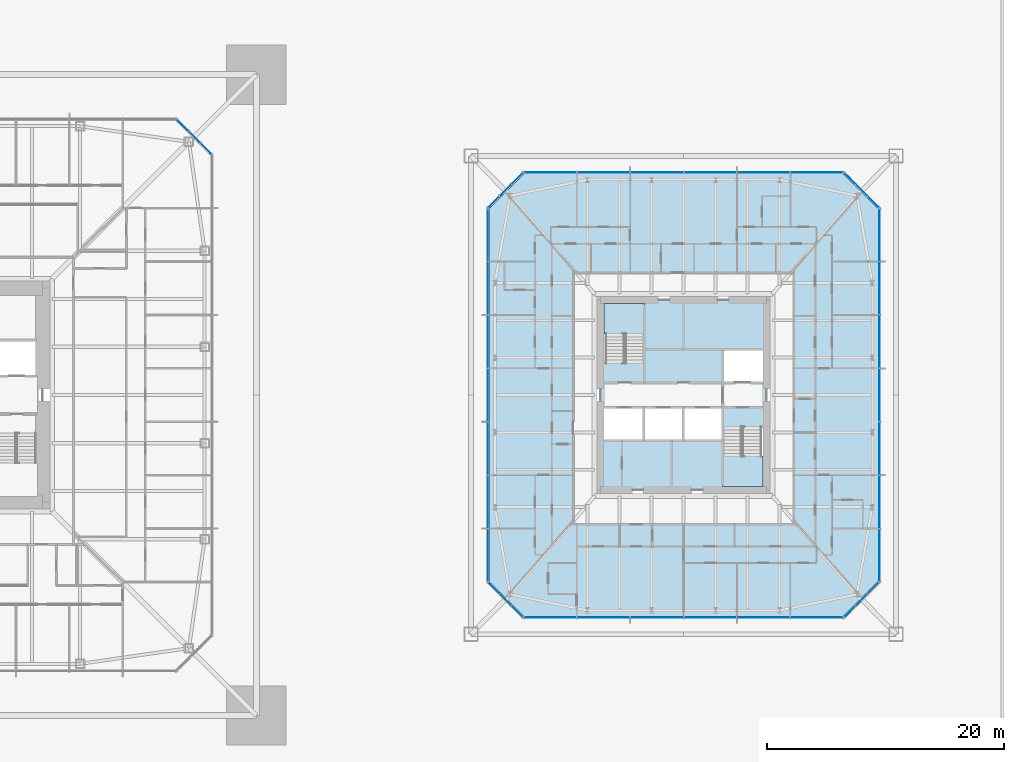
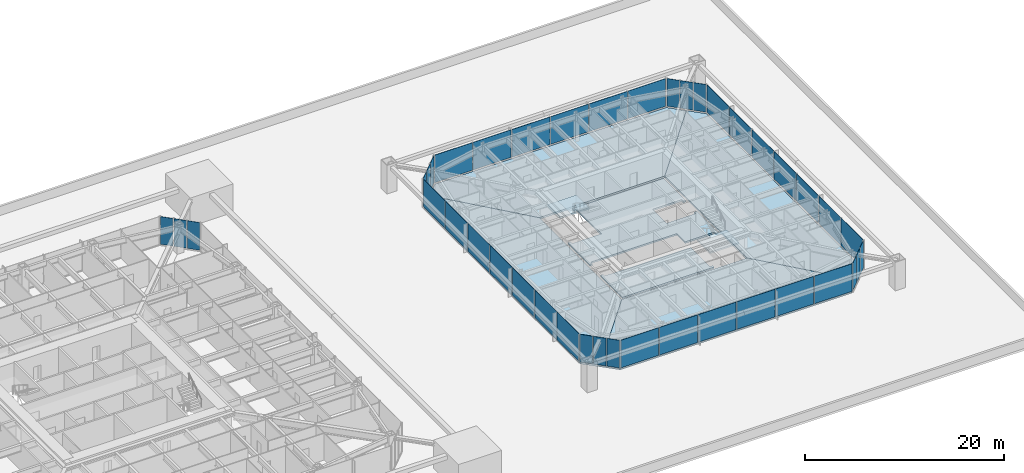
# One storey, part 15 of 31: 41 plates, 8 slabs, 11 elements without a shape of their own.
"""IFC4 building model written with IfcOpenShell, lengths in metres."""

from ifc_helpers import new_model, si_unit, direction, frame, origin, origin_2d, place, context, subcontext, project, spatial, polyline, rectangle, outline, extrude, material, layer, layer_set, constituent, constituent_set, type_object, element, aggregate, save


model = new_model("IFC4")

# Units and contexts
model_context = context("Model", 3, precision=1e-05, world=origin(), true_north=direction((0.0, 1.0)))
body_context = subcontext(model_context, "Body", "Model", "MODEL_VIEW")
ifc_project = project(units=[si_unit("LENGTHUNIT", "METRE"), si_unit("AREAUNIT", "SQUARE_METRE"), si_unit("VOLUMEUNIT", "CUBIC_METRE"), si_unit("PLANEANGLEUNIT", "RADIAN"), si_unit("MASSUNIT", "GRAM", prefix="KILO")], contexts=[model_context])

# Site, building, storey
site_placement = place(None, origin())
site = spatial("IfcSite", under=ifc_project, at=site_placement, CompositionType="ELEMENT")
building_placement = place(site_placement, origin())
building = spatial("IfcBuilding", under=site, at=building_placement, Name="Iwan Alto Co-Living Towers", CompositionType="ELEMENT")
storey_placement = place(building_placement, frame((0.0, 0.0, 15.0)))
storey = spatial("IfcBuildingStorey", under=building, at=storey_placement, Name="L03", CompositionType="ELEMENT", Elevation=15.0)

# Slabs
ifc_material_1 = material(Name="Concrete f'c 30 MPa", Category="concrete")
ifc_layer_1 = layer(ifc_material_1, 0.199951171875)
ifc_layer_set_1 = layer_set([ifc_layer_1], Name="CORE FLOOR SLAB 200")
slab_type_1 = type_object("IfcSlabType", Name="CORE FLOOR SLAB 200", PredefinedType="FLOOR", material=ifc_layer_set_1)
slab_1_placement = place(storey_placement, frame((0.0, 0.0, -0.199951171875)))
element("IfcSlab", 1, at=slab_1_placement, inside=storey, type_object=slab_type_1, Name="T2 core floor L03", PredefinedType="FLOOR", context=body_context, shape_type="SweptSolid", body=[
    extrude(outline(polyline([(70.0, -3.030029296875), (69.699951171875, -3.030029296875), (69.699951171875, -2.719970703125), (66.300048828125, -2.719970703125), (66.300048828125, -1.050048828125), (62.967041015625, -1.050048828125), (59.633056640625, -1.050048828125), (56.300048828125, -1.050048828125), (56.300048828125, -1.360107421875), (56.0, -1.360107421875), (56.0, 3.030029296875), (56.300048828125, 3.030029296875), (56.300048828125, 2.719970703125), (59.699951171875, 2.719970703125), (59.699951171875, 7.699951171875), (59.389892578125, 7.699951171875), (59.389892578125, 8.0), (70.0, 8.0), (70.0, 3.5400390625), (69.699951171875, 3.5400390625), (69.699951171875, 3.85009765625), (66.300048828125, 3.85009765625), (66.300048828125, 1.050048828125), (69.699951171875, 1.050048828125), (69.699951171875, 1.360107421875), (70.0, 1.360107421875), (70.0, -3.030029296875)])), origin(), (0.0, 0.0, 1.0), 0.199951171875),
])
slab_2_placement = place(storey_placement, frame((0.0, 0.0, -0.199951171875)))
element("IfcSlab", 2, at=slab_2_placement, inside=storey, type_object=slab_type_1, Name="T2 core floor L03", PredefinedType="FLOOR", context=body_context, shape_type="SweptSolid", body=[
    extrude(outline(polyline([(62.967041015625, -3.85009765625), (66.300048828125, -3.85009765625), (66.300048828125, -7.699951171875), (66.610107421875, -7.699951171875), (66.610107421875, -8.0), (56.0, -8.0), (56.0, -3.5400390625), (56.300048828125, -3.5400390625), (56.300048828125, -3.85009765625), (59.633056640625, -3.85009765625), (62.967041015625, -3.85009765625)])), origin(), (0.0, 0.0, 1.0), 0.199951171875),
])

# Curtain wall, plates
ifc_material_2 = material(Name="Bronze aluminium unitised frame", Category="aluminium")
curtain_wall_type_1 = type_object("IfcCurtainWallType", Name="CURTAIN WALL CW-B", PredefinedType="NOTDEFINED", material=ifc_material_2)
curtain_wall_1_placement = place(storey_placement, origin())
curtain_wall_1 = element("IfcCurtainWall", 3, at=curtain_wall_1_placement, inside=storey, type_object=curtain_wall_type_1, Name="T1 chamfer curtain wall NE L03", PredefinedType="NOTDEFINED")
ifc_material_3 = material(Name="Bronze-tinted insulating glass", Category="glass")
ifc_layer_2 = layer(ifc_material_3, 0.031982421875)
ifc_layer_set_2 = layer_set([ifc_layer_2], Name="CW-B PANEL TINTED IGU 32")
plate_type_1 = type_object("IfcPlateType", Name="CW-B PANEL TINTED IGU 32", PredefinedType="CURTAIN_PANEL", material=ifc_layer_set_2)
plate_1_placement = place(storey_placement, frame((22.73583984375, 20.76416015625, 0.10009765625), z_axis=(0.0, 0.0, 1.0), x_axis=(-0.707106781187, 0.707106781187, 0.0)))
plate_1 = element("IfcPlate", 4, at=plate_1_placement, type_object=plate_type_1, Name="CW-B panel 1.1", PredefinedType="CURTAIN_PANEL", context=body_context, shape_type="SweptSolid", body=[
    extrude(rectangle(XDim=1.294189453125, YDim=0.031982421875, at=origin_2d()), origin(), (0.0, 0.0, 1.0), 3.39990234375),
])
plate_2_placement = place(storey_placement, frame((21.75, 21.75, 0.10009765625), z_axis=(0.0, 0.0, 1.0), x_axis=(-0.707106781187, 0.707106781187, 0.0)))
plate_2 = element("IfcPlate", 5, at=plate_2_placement, type_object=plate_type_1, Name="CW-B panel 2.1", PredefinedType="CURTAIN_PANEL", context=body_context, shape_type="SweptSolid", body=[
    extrude(rectangle(XDim=1.334228515625, YDim=0.031982421875, at=origin_2d()), origin(), (0.0, 0.0, 1.0), 3.39990234375),
])
plate_3_placement = place(storey_placement, frame((20.76416015625, 22.73583984375, 0.10009765625), z_axis=(0.0, 0.0, 1.0), x_axis=(-0.707106781187, 0.707106781187, 0.0)))
plate_3 = element("IfcPlate", 6, at=plate_3_placement, type_object=plate_type_1, Name="CW-B panel 3.1", PredefinedType="CURTAIN_PANEL", context=body_context, shape_type="SweptSolid", body=[
    extrude(rectangle(XDim=1.294189453125, YDim=0.031982421875, at=origin_2d()), origin(), (0.0, 0.0, 1.0), 3.39990234375),
])
aggregate(curtain_wall_1, [plate_1, plate_2, plate_3])

ifc_material_4 = material(Name="Bronze aluminium unitised frame", Category="aluminium")
curtain_wall_type_2 = type_object("IfcCurtainWallType", Name="CURTAIN WALL CW-C", PredefinedType="NOTDEFINED", material=ifc_material_4)
curtain_wall_2_placement = place(storey_placement, origin())
curtain_wall_2 = element("IfcCurtainWall", 7, at=curtain_wall_2_placement, inside=storey, type_object=curtain_wall_type_2, Name="T2 curtain wall S L03", PredefinedType="NOTDEFINED")
ifc_material_5 = material(Name="Bronze-tinted insulating glass", Category="glass")
ifc_layer_3 = layer(ifc_material_5, 0.031982421875)
ifc_layer_set_3 = layer_set([ifc_layer_3], Name="CW-C PANEL TINTED IGU 32")
plate_type_2 = type_object("IfcPlateType", Name="CW-C PANEL TINTED IGU 32", PredefinedType="CURTAIN_PANEL", material=ifc_layer_set_3)
plate_4_placement = place(storey_placement, frame((51.77001953125, -18.75, 0.10009765625), z_axis=(0.0, 0.0, 1.0), x_axis=(1.0, 0.0, 0.0)))
plate_4 = element("IfcPlate", 8, at=plate_4_placement, type_object=plate_type_2, Name="CW-C panel 1.1", PredefinedType="CURTAIN_PANEL", context=body_context, shape_type="SweptSolid", body=[
    extrude(rectangle(XDim=4.3798828125, YDim=0.031982421875, at=origin_2d()), origin(), (0.0, 0.0, 1.0), 3.39990234375),
])
plate_5_placement = place(storey_placement, frame((56.25, -18.75, 0.10009765625), z_axis=(0.0, 0.0, 1.0), x_axis=(1.0, 0.0, 0.0)))
plate_5 = element("IfcPlate", 9, at=plate_5_placement, type_object=plate_type_2, Name="CW-C panel 2.1", PredefinedType="CURTAIN_PANEL", context=body_context, shape_type="SweptSolid", body=[
    extrude(rectangle(XDim=4.419921875, YDim=0.031982421875, at=origin_2d()), origin(), (0.0, 0.0, 1.0), 3.39990234375),
])
plate_6_placement = place(storey_placement, frame((69.75, -18.75, 0.10009765625), z_axis=(0.0, 0.0, 1.0), x_axis=(1.0, 0.0, 0.0)))
plate_6 = element("IfcPlate", 10, at=plate_6_placement, type_object=plate_type_2, Name="CW-C panel 5.1", PredefinedType="CURTAIN_PANEL", context=body_context, shape_type="SweptSolid", body=[
    extrude(rectangle(XDim=4.419921875, YDim=0.031982421875, at=origin_2d()), origin(), (0.0, 0.0, 1.0), 3.39990234375),
])
plate_7_placement = place(storey_placement, frame((74.22998046875, -18.75, 0.10009765625), z_axis=(0.0, 0.0, 1.0), x_axis=(1.0, 0.0, 0.0)))
plate_7 = element("IfcPlate", 11, at=plate_7_placement, type_object=plate_type_2, Name="CW-C panel 6.1", PredefinedType="CURTAIN_PANEL", context=body_context, shape_type="SweptSolid", body=[
    extrude(rectangle(XDim=4.3798828125, YDim=0.031982421875, at=origin_2d()), origin(), (0.0, 0.0, 1.0), 3.39990234375),
])

curtain_wall_3_placement = place(storey_placement, origin())
curtain_wall_3 = element("IfcCurtainWall", 12, at=curtain_wall_3_placement, inside=storey, type_object=curtain_wall_type_2, Name="T2 curtain wall E L03", PredefinedType="NOTDEFINED")
plate_8_placement = place(storey_placement, frame((79.5, -13.47998046875, 0.10009765625), z_axis=(0.0, 0.0, 1.0), x_axis=(0.0, 1.0, 0.0)))
plate_8 = element("IfcPlate", 13, at=plate_8_placement, type_object=plate_type_2, Name="CW-C panel 1.1", PredefinedType="CURTAIN_PANEL", context=body_context, shape_type="SweptSolid", body=[
    extrude(rectangle(XDim=4.3798828125, YDim=0.031982421875, at=origin_2d()), origin(), (0.0, 0.0, 1.0), 3.39990234375),
])
plate_9_placement = place(storey_placement, frame((79.5, -9.0, 0.10009765625), z_axis=(0.0, 0.0, 1.0), x_axis=(0.0, 1.0, 0.0)))
plate_9 = element("IfcPlate", 14, at=plate_9_placement, type_object=plate_type_2, Name="CW-C panel 2.1", PredefinedType="CURTAIN_PANEL", context=body_context, shape_type="SweptSolid", body=[
    extrude(rectangle(XDim=4.419921875, YDim=0.031982421875, at=origin_2d()), origin(), (0.0, 0.0, 1.0), 3.39990234375),
])
plate_10_placement = place(storey_placement, frame((79.5, 9.0, 0.10009765625), z_axis=(0.0, 0.0, 1.0), x_axis=(0.0, 1.0, 0.0)))
plate_10 = element("IfcPlate", 15, at=plate_10_placement, type_object=plate_type_2, Name="CW-C panel 6.1", PredefinedType="CURTAIN_PANEL", context=body_context, shape_type="SweptSolid", body=[
    extrude(rectangle(XDim=4.419921875, YDim=0.031982421875, at=origin_2d()), origin(), (0.0, 0.0, 1.0), 3.39990234375),
])
plate_11_placement = place(storey_placement, frame((79.5, 13.47998046875, 0.10009765625), z_axis=(0.0, 0.0, 1.0), x_axis=(0.0, 1.0, 0.0)))
plate_11 = element("IfcPlate", 16, at=plate_11_placement, type_object=plate_type_2, Name="CW-C panel 7.1", PredefinedType="CURTAIN_PANEL", context=body_context, shape_type="SweptSolid", body=[
    extrude(rectangle(XDim=4.3798828125, YDim=0.031982421875, at=origin_2d()), origin(), (0.0, 0.0, 1.0), 3.39990234375),
])

curtain_wall_4_placement = place(storey_placement, origin())
curtain_wall_4 = element("IfcCurtainWall", 17, at=curtain_wall_4_placement, inside=storey, type_object=curtain_wall_type_2, Name="T2 curtain wall N L03", PredefinedType="NOTDEFINED")
plate_12_placement = place(storey_placement, frame((74.22998046875, 18.75, 0.10009765625), z_axis=(0.0, 0.0, 1.0), x_axis=(-1.0, 0.0, 0.0)))
plate_12 = element("IfcPlate", 18, at=plate_12_placement, type_object=plate_type_2, Name="CW-C panel 1.1", PredefinedType="CURTAIN_PANEL", context=body_context, shape_type="SweptSolid", body=[
    extrude(rectangle(XDim=4.3798828125, YDim=0.031982421875, at=origin_2d()), origin(), (0.0, 0.0, 1.0), 3.39990234375),
])
plate_13_placement = place(storey_placement, frame((69.75, 18.75, 0.10009765625), z_axis=(0.0, 0.0, 1.0), x_axis=(-1.0, 0.0, 0.0)))
plate_13 = element("IfcPlate", 19, at=plate_13_placement, type_object=plate_type_2, Name="CW-C panel 2.1", PredefinedType="CURTAIN_PANEL", context=body_context, shape_type="SweptSolid", body=[
    extrude(rectangle(XDim=4.419921875, YDim=0.031982421875, at=origin_2d()), origin(), (0.0, 0.0, 1.0), 3.39990234375),
])
plate_14_placement = place(storey_placement, frame((56.25, 18.75, 0.10009765625), z_axis=(0.0, 0.0, 1.0), x_axis=(-1.0, 0.0, 0.0)))
plate_14 = element("IfcPlate", 20, at=plate_14_placement, type_object=plate_type_2, Name="CW-C panel 5.1", PredefinedType="CURTAIN_PANEL", context=body_context, shape_type="SweptSolid", body=[
    extrude(rectangle(XDim=4.419921875, YDim=0.031982421875, at=origin_2d()), origin(), (0.0, 0.0, 1.0), 3.39990234375),
])
plate_15_placement = place(storey_placement, frame((51.77001953125, 18.75, 0.10009765625), z_axis=(0.0, 0.0, 1.0), x_axis=(-1.0, 0.0, 0.0)))
plate_15 = element("IfcPlate", 21, at=plate_15_placement, type_object=plate_type_2, Name="CW-C panel 6.1", PredefinedType="CURTAIN_PANEL", context=body_context, shape_type="SweptSolid", body=[
    extrude(rectangle(XDim=4.3798828125, YDim=0.031982421875, at=origin_2d()), origin(), (0.0, 0.0, 1.0), 3.39990234375),
])

curtain_wall_5_placement = place(storey_placement, origin())
curtain_wall_5 = element("IfcCurtainWall", 22, at=curtain_wall_5_placement, inside=storey, type_object=curtain_wall_type_2, Name="T2 curtain wall W L03", PredefinedType="NOTDEFINED")
plate_16_placement = place(storey_placement, frame((46.5, 13.47998046875, 0.10009765625), z_axis=(0.0, 0.0, 1.0), x_axis=(0.0, -1.0, 0.0)))
plate_16 = element("IfcPlate", 23, at=plate_16_placement, type_object=plate_type_2, Name="CW-C panel 1.1", PredefinedType="CURTAIN_PANEL", context=body_context, shape_type="SweptSolid", body=[
    extrude(rectangle(XDim=4.3798828125, YDim=0.031982421875, at=origin_2d()), origin(), (0.0, 0.0, 1.0), 3.39990234375),
])
plate_17_placement = place(storey_placement, frame((46.5, 9.0, 0.10009765625), z_axis=(0.0, 0.0, 1.0), x_axis=(0.0, -1.0, 0.0)))
plate_17 = element("IfcPlate", 24, at=plate_17_placement, type_object=plate_type_2, Name="CW-C panel 2.1", PredefinedType="CURTAIN_PANEL", context=body_context, shape_type="SweptSolid", body=[
    extrude(rectangle(XDim=4.419921875, YDim=0.031982421875, at=origin_2d()), origin(), (0.0, 0.0, 1.0), 3.39990234375),
])
plate_18_placement = place(storey_placement, frame((46.5, -9.0, 0.10009765625), z_axis=(0.0, 0.0, 1.0), x_axis=(0.0, -1.0, 0.0)))
plate_18 = element("IfcPlate", 25, at=plate_18_placement, type_object=plate_type_2, Name="CW-C panel 6.1", PredefinedType="CURTAIN_PANEL", context=body_context, shape_type="SweptSolid", body=[
    extrude(rectangle(XDim=4.419921875, YDim=0.031982421875, at=origin_2d()), origin(), (0.0, 0.0, 1.0), 3.39990234375),
])
plate_19_placement = place(storey_placement, frame((46.5, -13.47998046875, 0.10009765625), z_axis=(0.0, 0.0, 1.0), x_axis=(0.0, -1.0, 0.0)))
plate_19 = element("IfcPlate", 26, at=plate_19_placement, type_object=plate_type_2, Name="CW-C panel 7.1", PredefinedType="CURTAIN_PANEL", context=body_context, shape_type="SweptSolid", body=[
    extrude(rectangle(XDim=4.3798828125, YDim=0.031982421875, at=origin_2d()), origin(), (0.0, 0.0, 1.0), 3.39990234375),
])

# Plate
ifc_material_6 = material(Name="Insulated bronze aluminium spandrel panel", Category="aluminium")
ifc_layer_4 = layer(ifc_material_6, 0.031982421875)
ifc_layer_set_4 = layer_set([ifc_layer_4], Name="CW-C SPANDREL PANEL 32")
plate_type_3 = type_object("IfcPlateType", Name="CW-C SPANDREL PANEL 32", PredefinedType="CURTAIN_PANEL", material=ifc_layer_set_4)
plate_20_placement = place(storey_placement, frame((60.75, -18.75, 0.10009765625), z_axis=(0.0, 0.0, 1.0), x_axis=(1.0, 0.0, 0.0)))
plate_20 = element("IfcPlate", 27, at=plate_20_placement, type_object=plate_type_3, Name="CW-C spandrel panel 3.1 (braced bay)", PredefinedType="CURTAIN_PANEL", context=body_context, shape_type="SweptSolid", body=[
    extrude(rectangle(XDim=4.419921875, YDim=0.031982421875, at=origin_2d()), origin(), (0.0, 0.0, 1.0), 3.39990234375),
])

plate_21_placement = place(storey_placement, frame((65.25, -18.75, 0.10009765625), z_axis=(0.0, 0.0, 1.0), x_axis=(1.0, 0.0, 0.0)))
plate_21 = element("IfcPlate", 28, at=plate_21_placement, type_object=plate_type_3, Name="CW-C spandrel panel 4.1 (braced bay)", PredefinedType="CURTAIN_PANEL", context=body_context, shape_type="SweptSolid", body=[
    extrude(rectangle(XDim=4.419921875, YDim=0.031982421875, at=origin_2d()), origin(), (0.0, 0.0, 1.0), 3.39990234375),
])

aggregate(curtain_wall_2, [plate_4, plate_5, plate_6, plate_7, plate_20, plate_21])

plate_22_placement = place(storey_placement, frame((79.5, -4.5, 0.10009765625), z_axis=(0.0, 0.0, 1.0), x_axis=(0.0, 1.0, 0.0)))
plate_22 = element("IfcPlate", 29, at=plate_22_placement, type_object=plate_type_3, Name="CW-C spandrel panel 3.1 (braced bay)", PredefinedType="CURTAIN_PANEL", context=body_context, shape_type="SweptSolid", body=[
    extrude(rectangle(XDim=4.419921875, YDim=0.031982421875, at=origin_2d()), origin(), (0.0, 0.0, 1.0), 3.39990234375),
])

plate_23_placement = place(storey_placement, frame((79.5, 0.0, 0.10009765625), z_axis=(0.0, 0.0, 1.0), x_axis=(0.0, 1.0, 0.0)))
plate_23 = element("IfcPlate", 30, at=plate_23_placement, type_object=plate_type_3, Name="CW-C spandrel panel 4.1 (braced bay)", PredefinedType="CURTAIN_PANEL", context=body_context, shape_type="SweptSolid", body=[
    extrude(rectangle(XDim=4.419921875, YDim=0.031982421875, at=origin_2d()), origin(), (0.0, 0.0, 1.0), 3.39990234375),
])

plate_24_placement = place(storey_placement, frame((79.5, 4.5, 0.10009765625), z_axis=(0.0, 0.0, 1.0), x_axis=(0.0, 1.0, 0.0)))
plate_24 = element("IfcPlate", 31, at=plate_24_placement, type_object=plate_type_3, Name="CW-C spandrel panel 5.1 (braced bay)", PredefinedType="CURTAIN_PANEL", context=body_context, shape_type="SweptSolid", body=[
    extrude(rectangle(XDim=4.419921875, YDim=0.031982421875, at=origin_2d()), origin(), (0.0, 0.0, 1.0), 3.39990234375),
])

aggregate(curtain_wall_3, [plate_8, plate_9, plate_10, plate_11, plate_22, plate_23, plate_24])

plate_25_placement = place(storey_placement, frame((65.25, 18.75, 0.10009765625), z_axis=(0.0, 0.0, 1.0), x_axis=(-1.0, 0.0, 0.0)))
plate_25 = element("IfcPlate", 32, at=plate_25_placement, type_object=plate_type_3, Name="CW-C spandrel panel 3.1 (braced bay)", PredefinedType="CURTAIN_PANEL", context=body_context, shape_type="SweptSolid", body=[
    extrude(rectangle(XDim=4.419921875, YDim=0.031982421875, at=origin_2d()), origin(), (0.0, 0.0, 1.0), 3.39990234375),
])

plate_26_placement = place(storey_placement, frame((60.75, 18.75, 0.10009765625), z_axis=(0.0, 0.0, 1.0), x_axis=(-1.0, 0.0, 0.0)))
plate_26 = element("IfcPlate", 33, at=plate_26_placement, type_object=plate_type_3, Name="CW-C spandrel panel 4.1 (braced bay)", PredefinedType="CURTAIN_PANEL", context=body_context, shape_type="SweptSolid", body=[
    extrude(rectangle(XDim=4.419921875, YDim=0.031982421875, at=origin_2d()), origin(), (0.0, 0.0, 1.0), 3.39990234375),
])

aggregate(curtain_wall_4, [plate_12, plate_13, plate_14, plate_15, plate_25, plate_26])

plate_27_placement = place(storey_placement, frame((46.5, 4.5, 0.10009765625), z_axis=(0.0, 0.0, 1.0), x_axis=(0.0, -1.0, 0.0)))
plate_27 = element("IfcPlate", 34, at=plate_27_placement, type_object=plate_type_3, Name="CW-C spandrel panel 3.1 (braced bay)", PredefinedType="CURTAIN_PANEL", context=body_context, shape_type="SweptSolid", body=[
    extrude(rectangle(XDim=4.419921875, YDim=0.031982421875, at=origin_2d()), origin(), (0.0, 0.0, 1.0), 3.39990234375),
])

plate_28_placement = place(storey_placement, frame((46.5, 0.0, 0.10009765625), z_axis=(0.0, 0.0, 1.0), x_axis=(0.0, -1.0, 0.0)))
plate_28 = element("IfcPlate", 35, at=plate_28_placement, type_object=plate_type_3, Name="CW-C spandrel panel 4.1 (braced bay)", PredefinedType="CURTAIN_PANEL", context=body_context, shape_type="SweptSolid", body=[
    extrude(rectangle(XDim=4.419921875, YDim=0.031982421875, at=origin_2d()), origin(), (0.0, 0.0, 1.0), 3.39990234375),
])

plate_29_placement = place(storey_placement, frame((46.5, -4.5, 0.10009765625), z_axis=(0.0, 0.0, 1.0), x_axis=(0.0, -1.0, 0.0)))
plate_29 = element("IfcPlate", 36, at=plate_29_placement, type_object=plate_type_3, Name="CW-C spandrel panel 5.1 (braced bay)", PredefinedType="CURTAIN_PANEL", context=body_context, shape_type="SweptSolid", body=[
    extrude(rectangle(XDim=4.419921875, YDim=0.031982421875, at=origin_2d()), origin(), (0.0, 0.0, 1.0), 3.39990234375),
])

aggregate(curtain_wall_5, [plate_16, plate_17, plate_18, plate_19, plate_27, plate_28, plate_29])

# Curtain wall, plates
ifc_material_7 = material(Name="Bronze aluminium unitised frame", Category="aluminium")
curtain_wall_type_3 = type_object("IfcCurtainWallType", Name="CURTAIN WALL CW-D", PredefinedType="NOTDEFINED", material=ifc_material_7)
curtain_wall_6_placement = place(storey_placement, origin())
curtain_wall_6 = element("IfcCurtainWall", 37, at=curtain_wall_6_placement, inside=storey, type_object=curtain_wall_type_3, Name="T2 chamfer curtain wall SE L03", PredefinedType="NOTDEFINED")
ifc_material_8 = material(Name="Bronze-tinted insulating glass", Category="glass")
ifc_layer_5 = layer(ifc_material_8, 0.031982421875)
ifc_layer_set_5 = layer_set([ifc_layer_5], Name="CW-D PANEL TINTED IGU 32")
plate_type_4 = type_object("IfcPlateType", Name="CW-D PANEL TINTED IGU 32", PredefinedType="CURTAIN_PANEL", material=ifc_layer_set_5)
plate_30_placement = place(storey_placement, frame((77.01416015625, -18.23583984375, 0.10009765625), z_axis=(0.0, 0.0, 1.0), x_axis=(0.707106781187, 0.707106781187, 0.0)))
plate_30 = element("IfcPlate", 38, at=plate_30_placement, type_object=plate_type_4, Name="CW-D panel 1.1", PredefinedType="CURTAIN_PANEL", context=body_context, shape_type="SweptSolid", body=[
    extrude(rectangle(XDim=1.294189453125, YDim=0.031982421875, at=origin_2d()), origin(), (0.0, 0.0, 1.0), 3.39990234375),
])
plate_31_placement = place(storey_placement, frame((78.0, -17.25, 0.10009765625), z_axis=(0.0, 0.0, 1.0), x_axis=(0.707106781187, 0.707106781187, 0.0)))
plate_31 = element("IfcPlate", 39, at=plate_31_placement, type_object=plate_type_4, Name="CW-D panel 2.1", PredefinedType="CURTAIN_PANEL", context=body_context, shape_type="SweptSolid", body=[
    extrude(rectangle(XDim=1.334228515625, YDim=0.031982421875, at=origin_2d()), origin(), (0.0, 0.0, 1.0), 3.39990234375),
])
plate_32_placement = place(storey_placement, frame((78.98583984375, -16.26416015625, 0.10009765625), z_axis=(0.0, 0.0, 1.0), x_axis=(0.707106781187, 0.707106781187, 0.0)))
plate_32 = element("IfcPlate", 40, at=plate_32_placement, type_object=plate_type_4, Name="CW-D panel 3.1", PredefinedType="CURTAIN_PANEL", context=body_context, shape_type="SweptSolid", body=[
    extrude(rectangle(XDim=1.294189453125, YDim=0.031982421875, at=origin_2d()), origin(), (0.0, 0.0, 1.0), 3.39990234375),
])
aggregate(curtain_wall_6, [plate_30, plate_31, plate_32])

curtain_wall_7_placement = place(storey_placement, origin())
curtain_wall_7 = element("IfcCurtainWall", 41, at=curtain_wall_7_placement, inside=storey, type_object=curtain_wall_type_3, Name="T2 chamfer curtain wall NE L03", PredefinedType="NOTDEFINED")
plate_33_placement = place(storey_placement, frame((78.98583984375, 16.26416015625, 0.10009765625), z_axis=(0.0, 0.0, 1.0), x_axis=(-0.707106781187, 0.707106781187, 0.0)))
plate_33 = element("IfcPlate", 42, at=plate_33_placement, type_object=plate_type_4, Name="CW-D panel 1.1", PredefinedType="CURTAIN_PANEL", context=body_context, shape_type="SweptSolid", body=[
    extrude(rectangle(XDim=1.294189453125, YDim=0.031982421875, at=origin_2d()), origin(), (0.0, 0.0, 1.0), 3.39990234375),
])
plate_34_placement = place(storey_placement, frame((78.0, 17.25, 0.10009765625), z_axis=(0.0, 0.0, 1.0), x_axis=(-0.707106781187, 0.707106781187, 0.0)))
plate_34 = element("IfcPlate", 43, at=plate_34_placement, type_object=plate_type_4, Name="CW-D panel 2.1", PredefinedType="CURTAIN_PANEL", context=body_context, shape_type="SweptSolid", body=[
    extrude(rectangle(XDim=1.334228515625, YDim=0.031982421875, at=origin_2d()), origin(), (0.0, 0.0, 1.0), 3.39990234375),
])
plate_35_placement = place(storey_placement, frame((77.01416015625, 18.23583984375, 0.10009765625), z_axis=(0.0, 0.0, 1.0), x_axis=(-0.707106781187, 0.707106781187, 0.0)))
plate_35 = element("IfcPlate", 44, at=plate_35_placement, type_object=plate_type_4, Name="CW-D panel 3.1", PredefinedType="CURTAIN_PANEL", context=body_context, shape_type="SweptSolid", body=[
    extrude(rectangle(XDim=1.294189453125, YDim=0.031982421875, at=origin_2d()), origin(), (0.0, 0.0, 1.0), 3.39990234375),
])
aggregate(curtain_wall_7, [plate_33, plate_34, plate_35])

curtain_wall_8_placement = place(storey_placement, origin())
curtain_wall_8 = element("IfcCurtainWall", 45, at=curtain_wall_8_placement, inside=storey, type_object=curtain_wall_type_3, Name="T2 chamfer curtain wall NW L03", PredefinedType="NOTDEFINED")
plate_36_placement = place(storey_placement, frame((48.98583984375, 18.23583984375, 0.10009765625), z_axis=(0.0, 0.0, 1.0), x_axis=(-0.707106781187, -0.707106781187, 0.0)))
plate_36 = element("IfcPlate", 46, at=plate_36_placement, type_object=plate_type_4, Name="CW-D panel 1.1", PredefinedType="CURTAIN_PANEL", context=body_context, shape_type="SweptSolid", body=[
    extrude(rectangle(XDim=1.294189453125, YDim=0.031982421875, at=origin_2d()), origin(), (0.0, 0.0, 1.0), 3.39990234375),
])
plate_37_placement = place(storey_placement, frame((48.0, 17.25, 0.10009765625), z_axis=(0.0, 0.0, 1.0), x_axis=(-0.707106781187, -0.707106781187, 0.0)))
plate_37 = element("IfcPlate", 47, at=plate_37_placement, type_object=plate_type_4, Name="CW-D panel 2.1", PredefinedType="CURTAIN_PANEL", context=body_context, shape_type="SweptSolid", body=[
    extrude(rectangle(XDim=1.334228515625, YDim=0.031982421875, at=origin_2d()), origin(), (0.0, 0.0, 1.0), 3.39990234375),
])
plate_38_placement = place(storey_placement, frame((47.01416015625, 16.26416015625, 0.10009765625), z_axis=(0.0, 0.0, 1.0), x_axis=(-0.707106781187, -0.707106781187, 0.0)))
plate_38 = element("IfcPlate", 48, at=plate_38_placement, type_object=plate_type_4, Name="CW-D panel 3.1", PredefinedType="CURTAIN_PANEL", context=body_context, shape_type="SweptSolid", body=[
    extrude(rectangle(XDim=1.294189453125, YDim=0.031982421875, at=origin_2d()), origin(), (0.0, 0.0, 1.0), 3.39990234375),
])
aggregate(curtain_wall_8, [plate_36, plate_37, plate_38])

curtain_wall_9_placement = place(storey_placement, origin())
curtain_wall_9 = element("IfcCurtainWall", 49, at=curtain_wall_9_placement, inside=storey, type_object=curtain_wall_type_3, Name="T2 chamfer curtain wall SW L03", PredefinedType="NOTDEFINED")
plate_39_placement = place(storey_placement, frame((47.01416015625, -16.26416015625, 0.10009765625), z_axis=(0.0, 0.0, 1.0), x_axis=(0.707106781187, -0.707106781187, 0.0)))
plate_39 = element("IfcPlate", 50, at=plate_39_placement, type_object=plate_type_4, Name="CW-D panel 1.1", PredefinedType="CURTAIN_PANEL", context=body_context, shape_type="SweptSolid", body=[
    extrude(rectangle(XDim=1.294189453125, YDim=0.031982421875, at=origin_2d()), origin(), (0.0, 0.0, 1.0), 3.39990234375),
])
plate_40_placement = place(storey_placement, frame((48.0, -17.25, 0.10009765625), z_axis=(0.0, 0.0, 1.0), x_axis=(0.707106781187, -0.707106781187, 0.0)))
plate_40 = element("IfcPlate", 51, at=plate_40_placement, type_object=plate_type_4, Name="CW-D panel 2.1", PredefinedType="CURTAIN_PANEL", context=body_context, shape_type="SweptSolid", body=[
    extrude(rectangle(XDim=1.334228515625, YDim=0.031982421875, at=origin_2d()), origin(), (0.0, 0.0, 1.0), 3.39990234375),
])
plate_41_placement = place(storey_placement, frame((48.98583984375, -18.23583984375, 0.10009765625), z_axis=(0.0, 0.0, 1.0), x_axis=(0.707106781187, -0.707106781187, 0.0)))
plate_41 = element("IfcPlate", 52, at=plate_41_placement, type_object=plate_type_4, Name="CW-D panel 3.1", PredefinedType="CURTAIN_PANEL", context=body_context, shape_type="SweptSolid", body=[
    extrude(rectangle(XDim=1.294189453125, YDim=0.031982421875, at=origin_2d()), origin(), (0.0, 0.0, 1.0), 3.39990234375),
])
aggregate(curtain_wall_9, [plate_39, plate_40, plate_41])

# Stair, slab
ifc_material_9 = material(Name="Steel ASTM A36", Category="steel")
ifc_constituent_1 = constituent(ifc_material_9, Name="Stringers", Category="LoadBearing")
ifc_material_10 = material(Name="Concrete f'c 30 MPa", Category="concrete")
ifc_constituent_2 = constituent(ifc_material_10, Name="Tread fill", Category="Finish")
ifc_constituent_set = constituent_set(constituents=[ifc_constituent_1, ifc_constituent_2], Name="STAIR 3500 TWO-FLIGHT T2 CORE")
stair_type = type_object("IfcStairType", Name="STAIR 3500 TWO-FLIGHT T2 CORE", PredefinedType="HALF_TURN_STAIR", material=ifc_constituent_set)
stair_1_placement = place(storey_placement, origin())
stair_1 = element("IfcStair", 53, at=stair_1_placement, inside=storey, type_object=stair_type, Name="Stair T2-S1 L03 to L04", PredefinedType="HALF_TURN_STAIR")
ifc_material_11 = material(Name="Concrete f'c 30 MPa", Category="concrete")
ifc_layer_6 = layer(ifc_material_11, 0.199951171875)
ifc_layer_set_6 = layer_set([ifc_layer_6], Name="STAIR LANDING 200")
slab_type_2 = type_object("IfcSlabType", Name="STAIR LANDING 200", PredefinedType="LANDING", material=ifc_layer_set_6)
slab_3_placement = place(storey_placement, frame((0.0, 0.0, 1.550048828125)))
slab_3 = element("IfcSlab", 54, at=slab_3_placement, type_object=slab_type_2, Name="T2-S1 landing 1", PredefinedType="LANDING", context=body_context, shape_type="SweptSolid", body=[
    extrude(outline(polyline([(56.300048828125, 5.139892578125), (56.300048828125, 7.699951171875), (59.699951171875, 7.699951171875), (59.699951171875, 5.139892578125), (56.300048828125, 5.139892578125)])), origin(), (0.0, 0.0, 1.0), 0.199951171875),
])
aggregate(stair_1, [slab_3])

stair_2_placement = place(storey_placement, origin())
stair_2 = element("IfcStair", 55, at=stair_2_placement, inside=storey, type_object=stair_type, Name="Stair T2-S2 L03 to L04", PredefinedType="HALF_TURN_STAIR")
slab_4_placement = place(storey_placement, frame((0.0, 0.0, 1.550048828125)))
slab_4 = element("IfcSlab", 56, at=slab_4_placement, type_object=slab_type_2, Name="T2-S2 landing 1", PredefinedType="LANDING", context=body_context, shape_type="SweptSolid", body=[
    extrude(outline(polyline([(66.300048828125, -5.139892578125), (66.300048828125, -7.699951171875), (69.699951171875, -7.699951171875), (69.699951171875, -5.139892578125), (66.300048828125, -5.139892578125)])), origin(), (0.0, 0.0, 1.0), 0.199951171875),
])
aggregate(stair_2, [slab_4])

# Slabs
ifc_material_12 = material(Name="Concrete f'c 30 MPa", Category="concrete")
ifc_layer_7 = layer(ifc_material_12, 0.22998046875)
ifc_layer_set_7 = layer_set([ifc_layer_7], Name="T2 FLOOR SLAB 230")
slab_type_3 = type_object("IfcSlabType", Name="T2 FLOOR SLAB 230", PredefinedType="FLOOR", material=ifc_layer_set_7)
slab_5_placement = place(storey_placement, frame((0.0, 0.0, -0.22998046875)))
element("IfcSlab", 57, at=slab_5_placement, inside=storey, type_object=slab_type_3, Name="T2 floor slab L03 S pour", PredefinedType="FLOOR", context=body_context, shape_type="SweptSolid", body=[
    extrude(outline(polyline([(76.44140625, -18.64990234375), (49.55859375, -18.64990234375), (48.07568359375, -17.1669921875), (55.699951171875, -8.300048828125), (70.300048828125, -8.300048828125), (77.92431640625, -17.1669921875), (76.44140625, -18.64990234375)])), origin(), (0.0, 0.0, 1.0), 0.22998046875),
])
slab_6_placement = place(storey_placement, frame((0.0, 0.0, -0.22998046875)))
element("IfcSlab", 58, at=slab_6_placement, inside=storey, type_object=slab_type_3, Name="T2 floor slab L03 E pour", PredefinedType="FLOOR", context=body_context, shape_type="SweptSolid", body=[
    extrude(outline(polyline([(79.39990234375, 15.69140625), (79.39990234375, -15.69140625), (77.92431640625, -17.1669921875), (70.300048828125, -8.300048828125), (70.300048828125, 8.300048828125), (77.92431640625, 17.1669921875), (79.39990234375, 15.69140625)])), origin(), (0.0, 0.0, 1.0), 0.22998046875),
])
slab_7_placement = place(storey_placement, frame((0.0, 0.0, -0.22998046875)))
element("IfcSlab", 59, at=slab_7_placement, inside=storey, type_object=slab_type_3, Name="T2 floor slab L03 N pour", PredefinedType="FLOOR", context=body_context, shape_type="SweptSolid", body=[
    extrude(outline(polyline([(49.55859375, 18.64990234375), (76.44140625, 18.64990234375), (77.92431640625, 17.1669921875), (70.300048828125, 8.300048828125), (55.699951171875, 8.300048828125), (48.07568359375, 17.1669921875), (49.55859375, 18.64990234375)])), origin(), (0.0, 0.0, 1.0), 0.22998046875),
])
slab_8_placement = place(storey_placement, frame((0.0, 0.0, -0.22998046875)))
element("IfcSlab", 60, at=slab_8_placement, inside=storey, type_object=slab_type_3, Name="T2 floor slab L03 W pour", PredefinedType="FLOOR", context=body_context, shape_type="SweptSolid", body=[
    extrude(outline(polyline([(46.60009765625, 15.69140625), (48.07568359375, 17.1669921875), (55.699951171875, 8.300048828125), (55.699951171875, -8.300048828125), (48.07568359375, -17.1669921875), (46.60009765625, -15.69140625), (46.60009765625, 15.69140625)])), origin(), (0.0, 0.0, 1.0), 0.22998046875),
])

save(model, "model.ifc")
